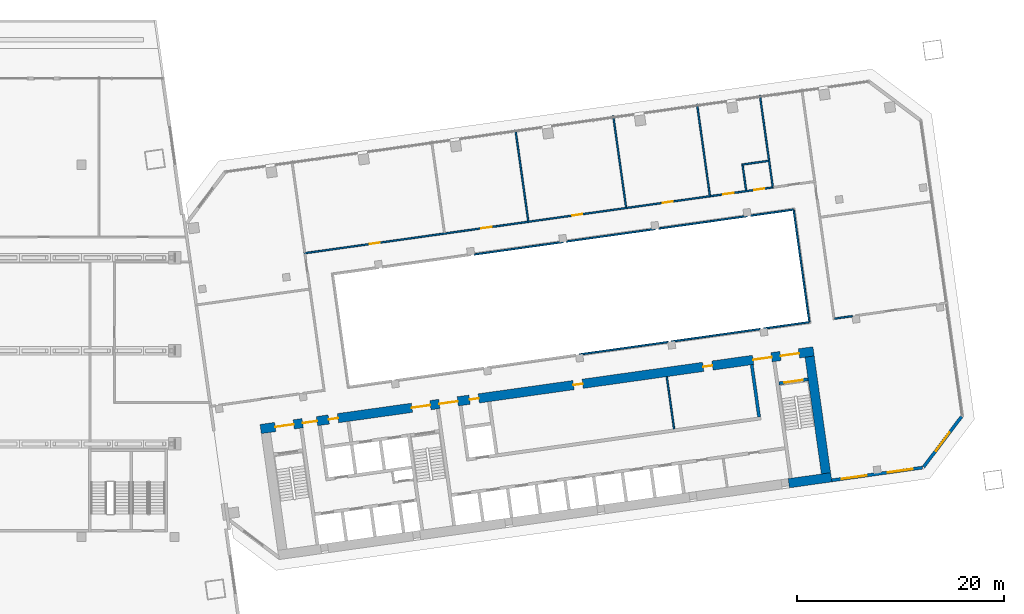
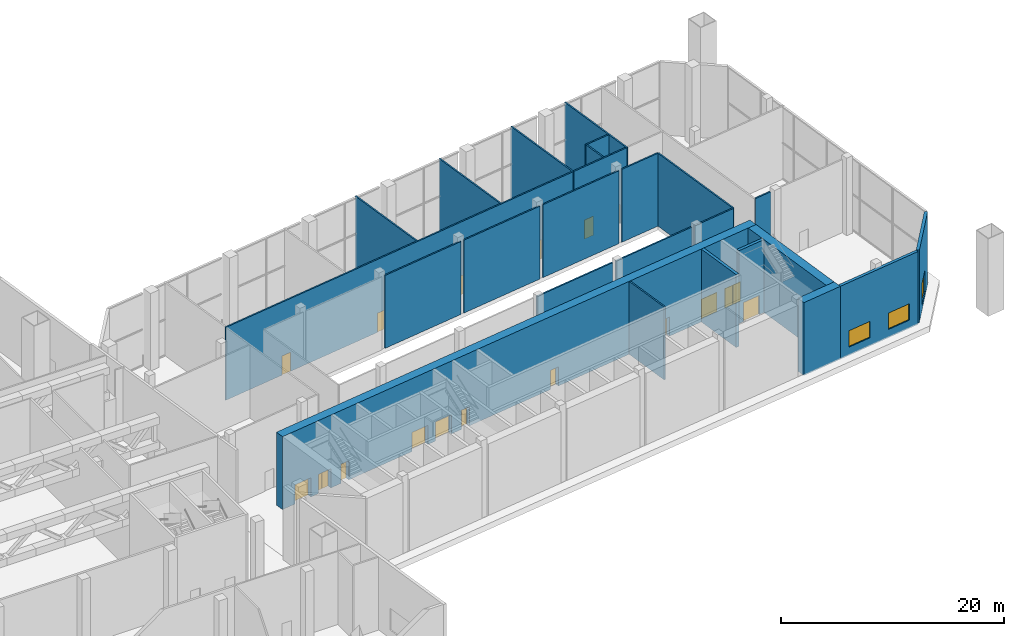
# One storey, part 24 of 31: 25 walls, 17 doors, 3 windows, 20 openings.
"""IFC4 building model written with IfcOpenShell, lengths in metres."""

from ifc_helpers import new_model, si_unit, direction, frame, frame_2d, origin, place, context, subcontext, project, spatial, rectangle, extrude, material, layer, layer_set, type_object, element, fill, save


model = new_model("IFC4")

# Units and contexts
model_context = context("Model", 3, precision=1e-05, world=origin(), true_north=direction((0.0, 1.0)))
body_context = subcontext(model_context, "Body", "Model", "MODEL_VIEW")
ifc_project = project(units=[si_unit("LENGTHUNIT", "METRE"), si_unit("AREAUNIT", "SQUARE_METRE"), si_unit("VOLUMEUNIT", "CUBIC_METRE"), si_unit("PLANEANGLEUNIT", "RADIAN"), si_unit("MASSUNIT", "GRAM", prefix="KILO")], contexts=[model_context])

# Site, building, storey
site_placement = place(None, origin())
site = spatial("IfcSite", under=ifc_project, at=site_placement, CompositionType="ELEMENT")
building_placement = place(site_placement, origin())
building = spatial("IfcBuilding", under=site, at=building_placement, Name="Mirante Cascada Hotel Towers", CompositionType="ELEMENT")
storey_placement = place(building_placement, frame((0.0, 0.0, 9.0)))
storey = spatial("IfcBuildingStorey", under=building, at=storey_placement, Name="L01", CompositionType="ELEMENT", Elevation=9.0)

# Walls
ifc_material_1 = material(Name="Masonry block", Category="masonry")
ifc_layer_1 = layer(ifc_material_1, 0.15)
ifc_layer_set_1 = layer_set([ifc_layer_1], Name="Core room partition 150 block EI 30")
wall_type_1 = type_object("IfcWallType", Name="Core room partition 150 block EI 30", PredefinedType="PARTITIONING", material=ifc_layer_set_1)
wall_1_placement = place(storey_placement, frame((75.3131, -7.5476, 0.0), z_axis=(0.0, 0.0, 1.0), x_axis=(-0.1391782, 0.9902673, 0.0)))
element("IfcWall", 1, at=wall_1_placement, inside=storey, type_object=wall_type_1, Name="Core wall partition T2 L01 5", PredefinedType="PARTITIONING", context=body_context, shape_type="SweptSolid", body=[
    extrude(rectangle(XDim=5.0999, YDim=0.15, at=frame_2d((2.55, 0.0))), origin(), (0.0, 0.0, 1.0), 8.0),
])
ifc_material_2 = material(Name="Masonry block", Category="masonry")
ifc_layer_2 = layer(ifc_material_2, 0.15)
ifc_layer_set_2 = layer_set([ifc_layer_2], Name="Corridor wall 150 block")
wall_type_2 = type_object("IfcWallType", Name="Corridor wall 150 block", PredefinedType="PARTITIONING", material=ifc_layer_set_2)
wall_2_placement = place(storey_placement, frame((86.8771, 13.638, 0.0), z_axis=(0.0, 0.0, 1.0), x_axis=(0.1391764, -0.9902676, 0.0)))
element("IfcWall", 2, at=wall_2_placement, inside=storey, type_object=wall_type_2, Name="Corridor wall T2 L01", PredefinedType="PARTITIONING", context=body_context, shape_type="SweptSolid", body=[
    extrude(rectangle(XDim=10.9401, YDim=0.15, at=frame_2d((5.47, 0.0))), origin(), (0.0, 0.0, 1.0), 8.0),
])
wall_3_placement = place(storey_placement, frame((90.8449, 3.1178, 0.0), z_axis=(0.0, 0.0, 1.0), x_axis=(0.9902659, 0.1391884, 0.0)))
element("IfcWall", 3, at=wall_3_placement, inside=storey, type_object=wall_type_2, Name="Corridor wall T2 L01", PredefinedType="PARTITIONING", context=body_context, shape_type="SweptSolid", body=[
    extrude(rectangle(XDim=1.7307, YDim=0.15, at=frame_2d((0.8654, 0.0))), origin(), (0.0, 0.0, 1.0), 8.0),
])

# Wall, openings, doors
wall_4_placement = place(storey_placement, frame((39.526, 9.4371, 0.0), z_axis=(0.0, 0.0, 1.0), x_axis=(0.9902683, 0.1391716, 0.0)))
wall_4 = element("IfcWall", 4, at=wall_4_placement, inside=storey, type_object=wall_type_2, Name="Corridor wall T2 L01", PredefinedType="PARTITIONING", context=body_context, shape_type="SweptSolid", body=[
    extrude(rectangle(XDim=39.5771, YDim=0.15, at=frame_2d((19.7886, 0.0))), origin(), (0.0, 0.0, 1.0), 8.0),
])
opening_1_placement = place(wall_4_placement, frame((6.3969, 0.0, 0.0)))
opening_1 = element("IfcOpeningElement", 5, at=opening_1_placement, cuts=wall_4, Name="Opening DP2-L01-05", PredefinedType="OPENING", context=body_context, shape_type="SweptSolid", body=[
    extrude(rectangle(XDim=1.0, YDim=2.1, at=frame_2d((0.5, 1.05))), frame((0.0, 0.075, 0.0), z_axis=(0.0, -1.0, 0.0), x_axis=(1.0, 0.0, 0.0)), (0.0, 0.0, 1.0), 0.15),
])
opening_2_placement = place(wall_4_placement, frame((17.312, 0.0, 0.0)))
opening_2 = element("IfcOpeningElement", 6, at=opening_2_placement, cuts=wall_4, Name="Opening DP2-L01-06", PredefinedType="OPENING", context=body_context, shape_type="SweptSolid", body=[
    extrude(rectangle(XDim=1.0, YDim=2.1, at=frame_2d((0.5, 1.05))), frame((0.0, 0.075, 0.0), z_axis=(0.0, -1.0, 0.0), x_axis=(1.0, 0.0, 0.0)), (0.0, 0.0, 1.0), 0.15),
])
opening_3_placement = place(wall_4_placement, frame((26.1804, 0.0, 0.0)))
opening_3 = element("IfcOpeningElement", 7, at=opening_3_placement, cuts=wall_4, Name="Opening DP2-L01-07", PredefinedType="OPENING", context=body_context, shape_type="SweptSolid", body=[
    extrude(rectangle(XDim=1.0, YDim=2.1, at=frame_2d((0.5, 1.05))), frame((0.0, 0.075, 0.0), z_axis=(0.0, -1.0, 0.0), x_axis=(1.0, 0.0, 0.0)), (0.0, 0.0, 1.0), 0.15),
])
opening_4_placement = place(wall_4_placement, frame((35.0164, 0.0, 0.0)))
opening_4 = element("IfcOpeningElement", 8, at=opening_4_placement, cuts=wall_4, Name="Opening DP2-L01-08", PredefinedType="OPENING", context=body_context, shape_type="SweptSolid", body=[
    extrude(rectangle(XDim=1.0, YDim=2.1, at=frame_2d((0.5, 1.05))), frame((0.0, 0.075, 0.0), z_axis=(0.0, -1.0, 0.0), x_axis=(1.0, 0.0, 0.0)), (0.0, 0.0, 1.0), 0.15),
])
ifc_material_3 = material(Name="Timber door leaf", Category="wood")
door_type_1 = type_object("IfcDoorType", Name="Single door 1000x2100", OperationType="NOTDEFINED", PredefinedType="DOOR", material=ifc_material_3)
door_1_placement = place(opening_1_placement, frame((1.0, 0.0, 0.0), z_axis=(0.0, 0.0, 1.0), x_axis=(-1.0, 0.0, 0.0)))
door_1 = element("IfcDoor", 9, at=door_1_placement, inside=storey, type_object=door_type_1, Name="Door DP2-L01-05", OperationType="SINGLE_SWING_LEFT", OverallHeight=2.1, OverallWidth=1.0, PredefinedType="DOOR", context=body_context, shape_type="SweptSolid", body=[
    extrude(rectangle(XDim=1.0, YDim=2.1, at=frame_2d((0.5, 1.05))), frame((0.0, 0.025, 0.0), z_axis=(0.0, -1.0, 0.0), x_axis=(1.0, 0.0, 0.0)), (0.0, 0.0, 1.0), 0.05),
])
fill(opening_1, door_1)
door_2_placement = place(opening_2_placement, origin())
door_2 = element("IfcDoor", 10, at=door_2_placement, inside=storey, type_object=door_type_1, Name="Door DP2-L01-06", OperationType="SINGLE_SWING_RIGHT", OverallHeight=2.1, OverallWidth=1.0, PredefinedType="DOOR", context=body_context, shape_type="SweptSolid", body=[
    extrude(rectangle(XDim=1.0, YDim=2.1, at=frame_2d((0.5, 1.05))), frame((0.0, 0.025, 0.0), z_axis=(0.0, -1.0, 0.0), x_axis=(1.0, 0.0, 0.0)), (0.0, 0.0, 1.0), 0.05),
])
fill(opening_2, door_2)
door_3_placement = place(opening_3_placement, frame((1.0, 0.0, 0.0), z_axis=(0.0, 0.0, 1.0), x_axis=(-1.0, 0.0, 0.0)))
door_3 = element("IfcDoor", 11, at=door_3_placement, inside=storey, type_object=door_type_1, Name="Door DP2-L01-07", OperationType="SINGLE_SWING_LEFT", OverallHeight=2.1, OverallWidth=1.0, PredefinedType="DOOR", context=body_context, shape_type="SweptSolid", body=[
    extrude(rectangle(XDim=1.0, YDim=2.1, at=frame_2d((0.5, 1.05))), frame((0.0, 0.025, 0.0), z_axis=(0.0, -1.0, 0.0), x_axis=(1.0, 0.0, 0.0)), (0.0, 0.0, 1.0), 0.05),
])
fill(opening_3, door_3)
door_4_placement = place(opening_4_placement, frame((1.0, 0.0, 0.0), z_axis=(0.0, 0.0, 1.0), x_axis=(-1.0, 0.0, 0.0)))
door_4 = element("IfcDoor", 12, at=door_4_placement, inside=storey, type_object=door_type_1, Name="Door DP2-L01-08", OperationType="SINGLE_SWING_RIGHT", OverallHeight=2.1, OverallWidth=1.0, PredefinedType="DOOR", context=body_context, shape_type="SweptSolid", body=[
    extrude(rectangle(XDim=1.0, YDim=2.1, at=frame_2d((0.5, 1.05))), frame((0.0, 0.025, 0.0), z_axis=(0.0, -1.0, 0.0), x_axis=(1.0, 0.0, 0.0)), (0.0, 0.0, 1.0), 0.05),
])
fill(opening_4, door_4)

# Walls
for number, where, z_axis, x_axis, name in (
    (13, (66.1471, -0.3533, 0.0), (0.0, 0.0, 1.0), (0.9902682, 0.139172, 0.0), "Corridor wall T2 L01"),
    (14, (75.0595, 0.8993, 0.0), (0.0, 0.0, 1.0), (0.9902682, 0.139172, 0.0), "Corridor wall T2 L01"),
):
    element("IfcWall", number, at=place(storey_placement, frame(where, z_axis=z_axis, x_axis=x_axis)), inside=storey, type_object=wall_type_2, Name=name, PredefinedType="PARTITIONING", context=body_context, shape_type="SweptSolid", body=[
        extrude(rectangle(XDim=8.6713, YDim=0.15, at=frame_2d((4.3356, 0.0))), origin(), (0.0, 0.0, 1.0), 8.0),
    ])
wall_5_placement = place(storey_placement, frame((83.9719, 2.1518, 0.0), z_axis=(0.0, 0.0, 1.0), x_axis=(0.9902682, 0.1391725, 0.0)))
element("IfcWall", 15, at=wall_5_placement, inside=storey, type_object=wall_type_2, Name="Corridor wall T2 L01", PredefinedType="PARTITIONING", context=body_context, shape_type="SweptSolid", body=[
    extrude(rectangle(XDim=4.4456, YDim=0.15, at=frame_2d((2.2228, 0.0))), origin(), (0.0, 0.0, 1.0), 8.0),
])
for number, where, z_axis, x_axis, name in (
    (16, (55.9808, 9.3261, 0.0), (0.0, 0.0, 1.0), (0.9902682, 0.139172, 0.0), "Corridor wall T2 L01"),
    (17, (64.8932, 10.5786, 0.0), (0.0, 0.0, 1.0), (0.9902682, 0.139172, 0.0), "Corridor wall T2 L01"),
    (18, (73.8056, 11.8312, 0.0), (0.0, 0.0, 1.0), (0.9902682, 0.139172, 0.0), "Corridor wall T2 L01"),
):
    element("IfcWall", number, at=place(storey_placement, frame(where, z_axis=z_axis, x_axis=x_axis)), inside=storey, type_object=wall_type_2, Name=name, PredefinedType="PARTITIONING", context=body_context, shape_type="SweptSolid", body=[
        extrude(rectangle(XDim=8.6713, YDim=0.15, at=frame_2d((4.3356, 0.0))), origin(), (0.0, 0.0, 1.0), 8.0),
    ])
wall_6_placement = place(storey_placement, frame((82.718, 13.0837, 0.0), z_axis=(0.0, 0.0, 1.0), x_axis=(0.9902672, 0.1391794, 0.0)))
element("IfcWall", 19, at=wall_6_placement, inside=storey, type_object=wall_type_2, Name="Corridor wall T2 L01", PredefinedType="PARTITIONING", context=body_context, shape_type="SweptSolid", body=[
    extrude(rectangle(XDim=4.1658, YDim=0.15, at=frame_2d((2.0829, 0.0))), origin(), (0.0, 0.0, 1.0), 8.0),
])
ifc_material_4 = material(Name="Masonry block", Category="masonry")
ifc_layer_3 = layer(ifc_material_4, 0.15)
ifc_layer_set_3 = layer_set([ifc_layer_3], Name="Partition 150 block")
wall_type_3 = type_object("IfcWallType", Name="Partition 150 block", PredefinedType="PARTITIONING", material=ifc_layer_set_3)
for number, where, z_axis, x_axis, name in (
    (20, (59.9654, 21.3981, 0.0), (0.0, 0.0, 1.0), (0.13917, -0.9902685, 0.0), "Partition T2 L01"),
    (21, (69.4231, 22.7273, 0.0), (0.0, 0.0, 1.0), (0.13917, -0.9902685, 0.0), "Partition T2 L01"),
):
    element("IfcWall", number, at=place(storey_placement, frame(where, z_axis=z_axis, x_axis=x_axis)), inside=storey, type_object=wall_type_3, Name=name, PredefinedType="PARTITIONING", context=body_context, shape_type="SweptSolid", body=[
        extrude(rectangle(XDim=8.9251, YDim=0.15, at=frame_2d((4.4626, 0.0))), origin(), (0.0, 0.0, 1.0), 8.0),
    ])

# Wall, openings, windows
ifc_material_5 = material(Name="Precast concrete C40/50", Category="concrete")
ifc_layer_4 = layer(ifc_material_5, 0.3)
ifc_layer_set_4 = layer_set([ifc_layer_4], Name="Precast concrete C40/50 cladding wall 300")
wall_type_4 = type_object("IfcWallType", Name="Precast concrete C40/50 cladding wall 300", PredefinedType="STANDARD", material=ifc_layer_set_4)
wall_7_placement = place(storey_placement, frame((90.5541, -12.5249, 0.0), z_axis=(0.0, 0.0, 1.0), x_axis=(0.9902676, 0.1391765, 0.0)))
wall_7 = element("IfcWall", 22, at=wall_7_placement, inside=storey, type_object=wall_type_4, Name="Rear cladding wall T2 L01 1", PredefinedType="STANDARD", context=body_context, shape_type="SweptSolid", body=[
    extrude(rectangle(XDim=8.8758, YDim=0.3, at=frame_2d((4.4379, 0.0))), origin(), (0.0, 0.0, 1.0), 8.0),
])
opening_5_placement = place(wall_7_placement, frame((1.0012, 0.0, 0.9)))
opening_5 = element("IfcOpeningElement", 23, at=opening_5_placement, cuts=wall_7, Name="Opening W2-01-01", PredefinedType="OPENING", context=body_context, shape_type="SweptSolid", body=[
    extrude(rectangle(XDim=2.4, YDim=1.8, at=frame_2d((1.2, 0.9))), frame((0.0, 0.15, 0.0), z_axis=(0.0, -1.0, 0.0), x_axis=(1.0, 0.0, 0.0)), (0.0, 0.0, 1.0), 0.3),
])
opening_6_placement = place(wall_7_placement, frame((5.4923, 0.0, 0.9)))
opening_6 = element("IfcOpeningElement", 24, at=opening_6_placement, cuts=wall_7, Name="Opening W2-01-02", PredefinedType="OPENING", context=body_context, shape_type="SweptSolid", body=[
    extrude(rectangle(XDim=2.4, YDim=1.8, at=frame_2d((1.2, 0.9))), frame((0.0, 0.15, 0.0), z_axis=(0.0, -1.0, 0.0), x_axis=(1.0, 0.0, 0.0)), (0.0, 0.0, 1.0), 0.3),
])
ifc_material_6 = material(Name="Aluminium frame with clear double glazing", Category="aluminium")
window_type_1 = type_object("IfcWindowType", Name="Punched window 2400x1800", PartitioningType="DOUBLE_PANEL_VERTICAL", PredefinedType="WINDOW", material=ifc_material_6)
window_1_placement = place(opening_5_placement, origin())
window_1 = element("IfcWindow", 25, at=window_1_placement, inside=storey, type_object=window_type_1, Name="Window W2-01-01", OverallHeight=1.8, OverallWidth=2.4, PartitioningType="SINGLE_PANEL", PredefinedType="WINDOW", context=body_context, shape_type="SweptSolid", body=[
    extrude(rectangle(XDim=2.4, YDim=1.8, at=frame_2d((1.2, 0.9))), frame((0.0, 0.03, 0.0), z_axis=(0.0, -1.0, 0.0), x_axis=(1.0, 0.0, 0.0)), (0.0, 0.0, 1.0), 0.06),
])
fill(opening_5, window_1)
window_2_placement = place(opening_6_placement, origin())
window_2 = element("IfcWindow", 26, at=window_2_placement, inside=storey, type_object=window_type_1, Name="Window W2-01-02", OverallHeight=1.8, OverallWidth=2.4, PartitioningType="SINGLE_PANEL", PredefinedType="WINDOW", context=body_context, shape_type="SweptSolid", body=[
    extrude(rectangle(XDim=2.4, YDim=1.8, at=frame_2d((1.2, 0.9))), frame((0.0, 0.03, 0.0), z_axis=(0.0, -1.0, 0.0), x_axis=(1.0, 0.0, 0.0)), (0.0, 0.0, 1.0), 0.06),
])
fill(opening_6, window_2)

# Wall, opening, window
wall_8_placement = place(storey_placement, frame((99.4424, -11.2313, 0.0), z_axis=(0.0, 0.0, 1.0), x_axis=(0.6018194, 0.7986322, 0.0)))
wall_8 = element("IfcWall", 27, at=wall_8_placement, inside=storey, type_object=wall_type_4, Name="Corner cladding wall T2 L01 rear outer", PredefinedType="STANDARD", context=body_context, shape_type="SweptSolid", body=[
    extrude(rectangle(XDim=6.1155, YDim=0.3, at=frame_2d((3.0578, 0.0))), origin(), (0.0, 0.0, 1.0), 8.0),
])
opening_7_placement = place(wall_8_placement, frame((1.9576, 0.0, 0.6)))
opening_7 = element("IfcOpeningElement", 28, at=opening_7_placement, cuts=wall_8, Name="Opening W2-01-03", PredefinedType="OPENING", context=body_context, shape_type="SweptSolid", body=[
    extrude(rectangle(XDim=2.2, YDim=2.4, at=frame_2d((1.1, 1.2))), frame((0.0, 0.15, 0.0), z_axis=(0.0, -1.0, 0.0), x_axis=(1.0, 0.0, 0.0)), (0.0, 0.0, 1.0), 0.3),
])
ifc_material_7 = material(Name="Aluminium frame with clear double glazing", Category="aluminium")
window_type_2 = type_object("IfcWindowType", Name="Corner suite window 2200x2400", PartitioningType="DOUBLE_PANEL_VERTICAL", PredefinedType="WINDOW", material=ifc_material_7)
window_3_placement = place(opening_7_placement, origin())
window_3 = element("IfcWindow", 29, at=window_3_placement, inside=storey, type_object=window_type_2, Name="Window W2-01-03", OverallHeight=2.4, OverallWidth=2.2, PartitioningType="SINGLE_PANEL", PredefinedType="WINDOW", context=body_context, shape_type="SweptSolid", body=[
    extrude(rectangle(XDim=2.2, YDim=2.4, at=frame_2d((1.1, 1.2))), frame((0.0, 0.03, 0.0), z_axis=(0.0, -1.0, 0.0), x_axis=(1.0, 0.0, 0.0)), (0.0, 0.0, 1.0), 0.06),
])
fill(opening_7, window_3)

# Wall, opening, door
ifc_material_8 = material(Name="Concrete C50/60", Category="concrete")
ifc_layer_5 = layer(ifc_material_8, 0.3)
ifc_layer_set_5 = layer_set([ifc_layer_5], Name="RC core wall 300 C50/60")
wall_type_5 = type_object("IfcWallType", Name="RC core wall 300 C50/60", PredefinedType="SHEAR", material=ifc_layer_set_5)
wall_9_placement = place(storey_placement, frame((85.4489, -3.1441, 0.0), z_axis=(0.0, 0.0, 1.0), x_axis=(0.9902697, 0.1391613, 0.0)))
wall_9 = element("IfcWall", 30, at=wall_9_placement, inside=storey, type_object=wall_type_5, Name="Core wall T2:L01:11", PredefinedType="SHEAR", context=body_context, shape_type="SweptSolid", body=[
    extrude(rectangle(XDim=2.8499, YDim=0.3, at=frame_2d((1.425, 0.0))), origin(), (0.0, 0.0, 1.0), 8.0),
])
opening_8_placement = place(wall_9_placement, frame((0.525, 0.0, 0.0)))
opening_8 = element("IfcOpeningElement", 31, at=opening_8_placement, cuts=wall_9, Name="Opening D2-01-C20", PredefinedType="OPENING", context=body_context, shape_type="SweptSolid", body=[
    extrude(rectangle(XDim=1.8, YDim=2.1, at=frame_2d((0.9, 1.05))), frame((0.0, 0.15, 0.0), z_axis=(0.0, -1.0, 0.0), x_axis=(1.0, 0.0, 0.0)), (0.0, 0.0, 1.0), 0.3),
])
ifc_material_9 = material(Name="Hollow metal fire door leaf")
door_type_2 = type_object("IfcDoorType", Name="Double fire door 1800x2100 FD60", OperationType="DOUBLE_DOOR_SINGLE_SWING", PredefinedType="DOOR", material=ifc_material_9)
door_5_placement = place(opening_8_placement, frame((1.8, 0.0, 0.0), z_axis=(0.0, 0.0, 1.0), x_axis=(-1.0, 0.0, 0.0)))
door_5 = element("IfcDoor", 32, at=door_5_placement, inside=storey, type_object=door_type_2, Name="Stair door T2 L01 20", OperationType="DOUBLE_DOOR_SINGLE_SWING", OverallHeight=2.1, OverallWidth=1.8, PredefinedType="DOOR", context=body_context, shape_type="SweptSolid", body=[
    extrude(rectangle(XDim=0.895, YDim=2.1, at=frame_2d((0.4475, 1.05))), frame((0.0, 0.025, 0.0), z_axis=(0.0, -1.0, 0.0), x_axis=(1.0, 0.0, 0.0)), (0.0, 0.0, 1.0), 0.05),
    extrude(rectangle(XDim=0.895, YDim=2.1, at=frame_2d((1.3525, 1.05))), frame((0.0, 0.025, 0.0), z_axis=(0.0, -1.0, 0.0), x_axis=(1.0, 0.0, 0.0)), (0.0, 0.0, 1.0), 0.05),
])
fill(opening_8, door_5)

# Walls
wall_10_placement = place(storey_placement, frame((83.5323, -6.3925, 0.0), z_axis=(0.0, 0.0, 1.0), x_axis=(-0.1391755, 0.9902677, 0.0)))
element("IfcWall", 33, at=wall_10_placement, inside=storey, type_object=wall_type_5, Name="Core wall T2:L01:36", PredefinedType="SHEAR", context=body_context, shape_type="SweptSolid", body=[
    extrude(rectangle(XDim=5.1, YDim=0.3, at=frame_2d((2.55, 0.0))), origin(), (0.0, 0.0, 1.0), 8.0),
])
ifc_material_10 = material(Name="Concrete C50/60", Category="concrete")
ifc_layer_6 = layer(ifc_material_10, 0.9)
ifc_layer_set_6 = layer_set([ifc_layer_6], Name="RC core wall 900 C50/60")
wall_type_6 = type_object("IfcWallType", Name="RC core wall 900 C50/60", PredefinedType="SHEAR", material=ifc_layer_set_6)
wall_11_placement = place(storey_placement, frame((86.4027, -12.8054, 0.0), z_axis=(0.0, 0.0, 1.0), x_axis=(0.990267, 0.139181, 0.0)))
element("IfcWall", 34, at=wall_11_placement, inside=storey, type_object=wall_type_6, Name="Core wall T2:L01:1.7", PredefinedType="SHEAR", context=body_context, shape_type="SweptSolid", body=[
    extrude(rectangle(XDim=4.15, YDim=0.9, at=frame_2d((2.075, 0.0))), origin(), (0.0, 0.0, 1.0), 8.0),
])

# Wall, openings, doors
wall_12_placement = place(storey_placement, frame((35.326, -7.5629, 0.0), z_axis=(0.0, 0.0, 1.0), x_axis=(0.9902679, 0.139174, 0.0)))
wall_12 = element("IfcWall", 35, at=wall_12_placement, inside=storey, type_object=wall_type_6, Name="Core wall T2:L01:2", PredefinedType="SHEAR", context=body_context, shape_type="SweptSolid", body=[
    extrude(rectangle(XDim=54.0, YDim=0.9, at=frame_2d((27.0, 0.0))), origin(), (0.0, 0.0, 1.0), 8.0),
])
opening_9_placement = place(wall_12_placement, frame((1.425, 0.0, 0.0)))
opening_9 = element("IfcOpeningElement", 36, at=opening_9_placement, cuts=wall_12, Name="Opening D2-01-C17", PredefinedType="OPENING", context=body_context, shape_type="SweptSolid", body=[
    extrude(rectangle(XDim=1.8, YDim=2.1, at=frame_2d((0.9, 1.05))), frame((0.0, 0.45, 0.0), z_axis=(0.0, -1.0, 0.0), x_axis=(1.0, 0.0, 0.0)), (0.0, 0.0, 1.0), 0.9),
])
opening_10_placement = place(wall_12_placement, frame((14.775, 0.0, 0.0)))
opening_10 = element("IfcOpeningElement", 37, at=opening_10_placement, cuts=wall_12, Name="Opening D2-01-C19", PredefinedType="OPENING", context=body_context, shape_type="SweptSolid", body=[
    extrude(rectangle(XDim=1.8, YDim=2.1, at=frame_2d((0.9, 1.05))), frame((0.0, 0.45, 0.0), z_axis=(0.0, -1.0, 0.0), x_axis=(1.0, 0.0, 0.0)), (0.0, 0.0, 1.0), 0.9),
])
opening_11_placement = place(wall_12_placement, frame((50.775, 0.0, 0.0)))
opening_11 = element("IfcOpeningElement", 38, at=opening_11_placement, cuts=wall_12, Name="Opening D2-01-C21", PredefinedType="OPENING", context=body_context, shape_type="SweptSolid", body=[
    extrude(rectangle(XDim=1.8, YDim=2.1, at=frame_2d((0.9, 1.05))), frame((0.0, 0.45, 0.0), z_axis=(0.0, -1.0, 0.0), x_axis=(1.0, 0.0, 0.0)), (0.0, 0.0, 1.0), 0.9),
])
opening_12_placement = place(wall_12_placement, frame((4.1, 0.0, 0.0)))
opening_12 = element("IfcOpeningElement", 39, at=opening_12_placement, cuts=wall_12, Name="Opening D2-01-C22", PredefinedType="OPENING", context=body_context, shape_type="SweptSolid", body=[
    extrude(rectangle(XDim=1.4, YDim=2.1, at=frame_2d((0.7, 1.05))), frame((0.0, 0.45, 0.0), z_axis=(0.0, -1.0, 0.0), x_axis=(1.0, 0.0, 0.0)), (0.0, 0.0, 1.0), 0.9),
])
opening_13_placement = place(wall_12_placement, frame((17.45, 0.0, 0.0)))
opening_13 = element("IfcOpeningElement", 40, at=opening_13_placement, cuts=wall_12, Name="Opening D2-01-C23", PredefinedType="OPENING", context=body_context, shape_type="SweptSolid", body=[
    extrude(rectangle(XDim=1.8, YDim=2.1, at=frame_2d((0.9, 1.05))), frame((0.0, 0.45, 0.0), z_axis=(0.0, -1.0, 0.0), x_axis=(1.0, 0.0, 0.0)), (0.0, 0.0, 1.0), 0.9),
])
opening_14_placement = place(wall_12_placement, frame((48.1, 0.0, 0.0)))
opening_14 = element("IfcOpeningElement", 41, at=opening_14_placement, cuts=wall_12, Name="Opening D2-01-C24", PredefinedType="OPENING", context=body_context, shape_type="SweptSolid", body=[
    extrude(rectangle(XDim=1.8, YDim=2.1, at=frame_2d((0.9, 1.05))), frame((0.0, 0.45, 0.0), z_axis=(0.0, -1.0, 0.0), x_axis=(1.0, 0.0, 0.0)), (0.0, 0.0, 1.0), 0.9),
])
opening_15_placement = place(wall_12_placement, frame((6.65, 0.0, 0.0)))
opening_15 = element("IfcOpeningElement", 42, at=opening_15_placement, cuts=wall_12, Name="Opening D2-01-C27", PredefinedType="OPENING", context=body_context, shape_type="SweptSolid", body=[
    extrude(rectangle(XDim=0.9, YDim=2.1, at=frame_2d((0.45, 1.05))), frame((0.0, 0.45, 0.0), z_axis=(0.0, -1.0, 0.0), x_axis=(1.0, 0.0, 0.0)), (0.0, 0.0, 1.0), 0.9),
])
opening_16_placement = place(wall_12_placement, frame((20.4, 0.0, 0.0)))
opening_16 = element("IfcOpeningElement", 43, at=opening_16_placement, cuts=wall_12, Name="Opening D2-01-C30", PredefinedType="OPENING", context=body_context, shape_type="SweptSolid", body=[
    extrude(rectangle(XDim=0.9, YDim=2.1, at=frame_2d((0.45, 1.05))), frame((0.0, 0.45, 0.0), z_axis=(0.0, -1.0, 0.0), x_axis=(1.0, 0.0, 0.0)), (0.0, 0.0, 1.0), 0.9),
])
opening_17_placement = place(wall_12_placement, frame((30.55, 0.0, 0.0)))
opening_17 = element("IfcOpeningElement", 44, at=opening_17_placement, cuts=wall_12, Name="Opening D2-01-C31", PredefinedType="OPENING", context=body_context, shape_type="SweptSolid", body=[
    extrude(rectangle(XDim=0.9, YDim=2.1, at=frame_2d((0.45, 1.05))), frame((0.0, 0.45, 0.0), z_axis=(0.0, -1.0, 0.0), x_axis=(1.0, 0.0, 0.0)), (0.0, 0.0, 1.0), 0.9),
])
opening_18_placement = place(wall_12_placement, frame((43.225, 0.0, 0.0)))
opening_18 = element("IfcOpeningElement", 45, at=opening_18_placement, cuts=wall_12, Name="Opening D2-01-C32", PredefinedType="OPENING", context=body_context, shape_type="SweptSolid", body=[
    extrude(rectangle(XDim=0.9, YDim=2.1, at=frame_2d((0.45, 1.05))), frame((0.0, 0.45, 0.0), z_axis=(0.0, -1.0, 0.0), x_axis=(1.0, 0.0, 0.0)), (0.0, 0.0, 1.0), 0.9),
])
ifc_material_11 = material(Name="Hollow metal fire door leaf")
door_type_3 = type_object("IfcDoorType", Name="Double fire door 1400x2100 FD60", OperationType="DOUBLE_DOOR_SINGLE_SWING", PredefinedType="DOOR", material=ifc_material_11)
door_6_placement = place(opening_12_placement, origin())
door_6 = element("IfcDoor", 46, at=door_6_placement, inside=storey, type_object=door_type_3, Name="Exit door to gallery T2 L01 22", OperationType="DOUBLE_DOOR_SINGLE_SWING", OverallHeight=2.1, OverallWidth=1.4, PredefinedType="DOOR", context=body_context, shape_type="SweptSolid", body=[
    extrude(rectangle(XDim=0.695, YDim=2.1, at=frame_2d((0.3475, 1.05))), frame((0.0, 0.025, 0.0), z_axis=(0.0, -1.0, 0.0), x_axis=(1.0, 0.0, 0.0)), (0.0, 0.0, 1.0), 0.05),
    extrude(rectangle(XDim=0.695, YDim=2.1, at=frame_2d((1.0525, 1.05))), frame((0.0, 0.025, 0.0), z_axis=(0.0, -1.0, 0.0), x_axis=(1.0, 0.0, 0.0)), (0.0, 0.0, 1.0), 0.05),
])
fill(opening_12, door_6)
door_7_placement = place(opening_9_placement, frame((1.8, 0.0, 0.0), z_axis=(0.0, 0.0, 1.0), x_axis=(-1.0, 0.0, 0.0)))
door_7 = element("IfcDoor", 47, at=door_7_placement, inside=storey, type_object=door_type_2, Name="Exit door to gallery T2 L01 17", OperationType="DOUBLE_DOOR_SINGLE_SWING", OverallHeight=2.1, OverallWidth=1.8, PredefinedType="DOOR", context=body_context, shape_type="SweptSolid", body=[
    extrude(rectangle(XDim=0.895, YDim=2.1, at=frame_2d((0.4475, 1.05))), frame((0.0, 0.025, 0.0), z_axis=(0.0, -1.0, 0.0), x_axis=(1.0, 0.0, 0.0)), (0.0, 0.0, 1.0), 0.05),
    extrude(rectangle(XDim=0.895, YDim=2.1, at=frame_2d((1.3525, 1.05))), frame((0.0, 0.025, 0.0), z_axis=(0.0, -1.0, 0.0), x_axis=(1.0, 0.0, 0.0)), (0.0, 0.0, 1.0), 0.05),
])
fill(opening_9, door_7)
door_8_placement = place(opening_10_placement, frame((1.8, 0.0, 0.0), z_axis=(0.0, 0.0, 1.0), x_axis=(-1.0, 0.0, 0.0)))
door_8 = element("IfcDoor", 48, at=door_8_placement, inside=storey, type_object=door_type_2, Name="Exit door to gallery T2 L01 19", OperationType="DOUBLE_DOOR_SINGLE_SWING", OverallHeight=2.1, OverallWidth=1.8, PredefinedType="DOOR", context=body_context, shape_type="SweptSolid", body=[
    extrude(rectangle(XDim=0.895, YDim=2.1, at=frame_2d((0.4475, 1.05))), frame((0.0, 0.025, 0.0), z_axis=(0.0, -1.0, 0.0), x_axis=(1.0, 0.0, 0.0)), (0.0, 0.0, 1.0), 0.05),
    extrude(rectangle(XDim=0.895, YDim=2.1, at=frame_2d((1.3525, 1.05))), frame((0.0, 0.025, 0.0), z_axis=(0.0, -1.0, 0.0), x_axis=(1.0, 0.0, 0.0)), (0.0, 0.0, 1.0), 0.05),
])
fill(opening_10, door_8)
door_9_placement = place(opening_11_placement, frame((1.8, 0.0, 0.0), z_axis=(0.0, 0.0, 1.0), x_axis=(-1.0, 0.0, 0.0)))
door_9 = element("IfcDoor", 49, at=door_9_placement, inside=storey, type_object=door_type_2, Name="Exit door to gallery T2 L01 21", OperationType="DOUBLE_DOOR_SINGLE_SWING", OverallHeight=2.1, OverallWidth=1.8, PredefinedType="DOOR", context=body_context, shape_type="SweptSolid", body=[
    extrude(rectangle(XDim=0.895, YDim=2.1, at=frame_2d((0.4475, 1.05))), frame((0.0, 0.025, 0.0), z_axis=(0.0, -1.0, 0.0), x_axis=(1.0, 0.0, 0.0)), (0.0, 0.0, 1.0), 0.05),
    extrude(rectangle(XDim=0.895, YDim=2.1, at=frame_2d((1.3525, 1.05))), frame((0.0, 0.025, 0.0), z_axis=(0.0, -1.0, 0.0), x_axis=(1.0, 0.0, 0.0)), (0.0, 0.0, 1.0), 0.05),
])
fill(opening_11, door_9)
door_10_placement = place(opening_13_placement, origin())
door_10 = element("IfcDoor", 50, at=door_10_placement, inside=storey, type_object=door_type_2, Name="Exit door to gallery T2 L01 23", OperationType="DOUBLE_DOOR_SINGLE_SWING", OverallHeight=2.1, OverallWidth=1.8, PredefinedType="DOOR", context=body_context, shape_type="SweptSolid", body=[
    extrude(rectangle(XDim=0.895, YDim=2.1, at=frame_2d((0.4475, 1.05))), frame((0.0, 0.025, 0.0), z_axis=(0.0, -1.0, 0.0), x_axis=(1.0, 0.0, 0.0)), (0.0, 0.0, 1.0), 0.05),
    extrude(rectangle(XDim=0.895, YDim=2.1, at=frame_2d((1.3525, 1.05))), frame((0.0, 0.025, 0.0), z_axis=(0.0, -1.0, 0.0), x_axis=(1.0, 0.0, 0.0)), (0.0, 0.0, 1.0), 0.05),
])
fill(opening_13, door_10)
door_11_placement = place(opening_14_placement, origin())
door_11 = element("IfcDoor", 51, at=door_11_placement, inside=storey, type_object=door_type_2, Name="Exit door to gallery T2 L01 24", OperationType="DOUBLE_DOOR_SINGLE_SWING", OverallHeight=2.1, OverallWidth=1.8, PredefinedType="DOOR", context=body_context, shape_type="SweptSolid", body=[
    extrude(rectangle(XDim=0.895, YDim=2.1, at=frame_2d((0.4475, 1.05))), frame((0.0, 0.025, 0.0), z_axis=(0.0, -1.0, 0.0), x_axis=(1.0, 0.0, 0.0)), (0.0, 0.0, 1.0), 0.05),
    extrude(rectangle(XDim=0.895, YDim=2.1, at=frame_2d((1.3525, 1.05))), frame((0.0, 0.025, 0.0), z_axis=(0.0, -1.0, 0.0), x_axis=(1.0, 0.0, 0.0)), (0.0, 0.0, 1.0), 0.05),
])
fill(opening_14, door_11)
ifc_material_12 = material(Name="Hollow metal fire door leaf")
door_type_4 = type_object("IfcDoorType", Name="Fire door 900x2100 FD60", OperationType="NOTDEFINED", PredefinedType="DOOR", material=ifc_material_12)
door_12_placement = place(opening_15_placement, frame((0.9, 0.0, 0.0), z_axis=(0.0, 0.0, 1.0), x_axis=(-1.0, 0.0, 0.0)))
door_12 = element("IfcDoor", 52, at=door_12_placement, inside=storey, type_object=door_type_4, Name="Room door T2 L01 27", OperationType="SINGLE_SWING_LEFT", OverallHeight=2.1, OverallWidth=0.9, PredefinedType="DOOR", context=body_context, shape_type="SweptSolid", body=[
    extrude(rectangle(XDim=0.9, YDim=2.1, at=frame_2d((0.45, 1.05))), frame((0.0, 0.025, 0.0), z_axis=(0.0, -1.0, 0.0), x_axis=(1.0, 0.0, 0.0)), (0.0, 0.0, 1.0), 0.05),
])
fill(opening_15, door_12)
door_13_placement = place(opening_16_placement, frame((0.9, 0.0, 0.0), z_axis=(0.0, 0.0, 1.0), x_axis=(-1.0, 0.0, 0.0)))
door_13 = element("IfcDoor", 53, at=door_13_placement, inside=storey, type_object=door_type_4, Name="Room door T2 L01 30", OperationType="SINGLE_SWING_LEFT", OverallHeight=2.1, OverallWidth=0.9, PredefinedType="DOOR", context=body_context, shape_type="SweptSolid", body=[
    extrude(rectangle(XDim=0.9, YDim=2.1, at=frame_2d((0.45, 1.05))), frame((0.0, 0.025, 0.0), z_axis=(0.0, -1.0, 0.0), x_axis=(1.0, 0.0, 0.0)), (0.0, 0.0, 1.0), 0.05),
])
fill(opening_16, door_13)
door_14_placement = place(opening_17_placement, frame((0.9, 0.0, 0.0), z_axis=(0.0, 0.0, 1.0), x_axis=(-1.0, 0.0, 0.0)))
door_14 = element("IfcDoor", 54, at=door_14_placement, inside=storey, type_object=door_type_4, Name="Room door T2 L01 31", OperationType="SINGLE_SWING_RIGHT", OverallHeight=2.1, OverallWidth=0.9, PredefinedType="DOOR", context=body_context, shape_type="SweptSolid", body=[
    extrude(rectangle(XDim=0.9, YDim=2.1, at=frame_2d((0.45, 1.05))), frame((0.0, 0.025, 0.0), z_axis=(0.0, -1.0, 0.0), x_axis=(1.0, 0.0, 0.0)), (0.0, 0.0, 1.0), 0.05),
])
fill(opening_17, door_14)
door_15_placement = place(opening_18_placement, frame((0.9, 0.0, 0.0), z_axis=(0.0, 0.0, 1.0), x_axis=(-1.0, 0.0, 0.0)))
door_15 = element("IfcDoor", 55, at=door_15_placement, inside=storey, type_object=door_type_4, Name="Room door T2 L01 32", OperationType="SINGLE_SWING_RIGHT", OverallHeight=2.1, OverallWidth=0.9, PredefinedType="DOOR", context=body_context, shape_type="SweptSolid", body=[
    extrude(rectangle(XDim=0.9, YDim=2.1, at=frame_2d((0.45, 1.05))), frame((0.0, 0.025, 0.0), z_axis=(0.0, -1.0, 0.0), x_axis=(1.0, 0.0, 0.0)), (0.0, 0.0, 1.0), 0.05),
])
fill(opening_18, door_15)

# Walls
wall_13_placement = place(storey_placement, frame((90.0041, -11.8449, 0.0), z_axis=(0.0, 0.0, 1.0), x_axis=(-0.1391749, 0.9902678, 0.0)))
element("IfcWall", 56, at=wall_13_placement, inside=storey, type_object=wall_type_6, Name="Core wall T2:L01:4", PredefinedType="SHEAR", context=body_context, shape_type="SweptSolid", body=[
    extrude(rectangle(XDim=11.4, YDim=0.9, at=frame_2d((5.7, 0.0))), origin(), (0.0, 0.0, 1.0), 8.0),
])
ifc_material_13 = material(Name="Masonry block", Category="masonry")
ifc_layer_7 = layer(ifc_material_13, 0.15)
ifc_layer_set_7 = layer_set([ifc_layer_7], Name="Wet room wall 150 block")
wall_type_7 = type_object("IfcWallType", Name="Wet room wall 150 block", PredefinedType="PARTITIONING", material=ifc_layer_set_7)
wall_14_placement = place(storey_placement, frame((77.5297, 23.8666, 0.0), z_axis=(0.0, 0.0, 1.0), x_axis=(0.1391733, -0.990268, 0.0)))
element("IfcWall", 57, at=wall_14_placement, inside=storey, type_object=wall_type_7, Name="Wet room wall T2 L01", PredefinedType="PARTITIONING", context=body_context, shape_type="SweptSolid", body=[
    extrude(rectangle(XDim=9.075, YDim=0.15, at=frame_2d((4.5375, 0.0))), origin(), (0.0, 0.0, 1.0), 8.0),
])
wall_15_placement = place(storey_placement, frame((81.9362, 17.9472, 0.0), z_axis=(0.0, 0.0, 1.0), x_axis=(0.1391466, -0.9902718, 0.0)))
element("IfcWall", 58, at=wall_15_placement, inside=storey, type_object=wall_type_7, Name="Wet room wall T2 L01", PredefinedType="PARTITIONING", context=body_context, shape_type="SweptSolid", body=[
    extrude(rectangle(XDim=2.4499, YDim=0.15, at=frame_2d((1.225, 0.0))), origin(), (0.0, 0.0, 1.0), 8.0),
])
wall_16_placement = place(storey_placement, frame((83.6097, 24.7211, 0.0), z_axis=(0.0, 0.0, 1.0), x_axis=(0.1391733, -0.990268, 0.0)))
element("IfcWall", 59, at=wall_16_placement, inside=storey, type_object=wall_type_7, Name="Wet room wall T2 L01", PredefinedType="PARTITIONING", context=body_context, shape_type="SweptSolid", body=[
    extrude(rectangle(XDim=9.075, YDim=0.15, at=frame_2d((4.5375, 0.0))), origin(), (0.0, 0.0, 1.0), 8.0),
])

# Wall, openings, doors
wall_17_placement = place(storey_placement, frame((78.8467, 14.9632, 0.0), z_axis=(0.0, 0.0, 1.0), x_axis=(0.9902678, 0.1391753, 0.0)))
wall_17 = element("IfcWall", 60, at=wall_17_placement, inside=storey, type_object=wall_type_7, Name="Wet room wall T2 L01", PredefinedType="PARTITIONING", context=body_context, shape_type="SweptSolid", body=[
    extrude(rectangle(XDim=6.0097, YDim=0.15, at=frame_2d((3.0048, 0.0))), origin(), (0.0, 0.0, 1.0), 8.0),
])
opening_19_placement = place(wall_17_placement, frame((1.2374, 0.0, 0.0)))
opening_19 = element("IfcOpeningElement", 61, at=opening_19_placement, cuts=wall_17, Name="Opening DP2-L01-09", PredefinedType="OPENING", context=body_context, shape_type="SweptSolid", body=[
    extrude(rectangle(XDim=1.0, YDim=2.1, at=frame_2d((0.5, 1.05))), frame((0.0, 0.075, 0.0), z_axis=(0.0, -1.0, 0.0), x_axis=(1.0, 0.0, 0.0)), (0.0, 0.0, 1.0), 0.15),
])
opening_20_placement = place(wall_17_placement, frame((4.2422, 0.0, 0.0)))
opening_20 = element("IfcOpeningElement", 62, at=opening_20_placement, cuts=wall_17, Name="Opening DP2-L01-11", PredefinedType="OPENING", context=body_context, shape_type="SweptSolid", body=[
    extrude(rectangle(XDim=1.0, YDim=2.1, at=frame_2d((0.5, 1.05))), frame((0.0, 0.075, 0.0), z_axis=(0.0, -1.0, 0.0), x_axis=(1.0, 0.0, 0.0)), (0.0, 0.0, 1.0), 0.15),
])
door_16_placement = place(opening_19_placement, origin())
door_16 = element("IfcDoor", 63, at=door_16_placement, inside=storey, type_object=door_type_1, Name="Door DP2-L01-09", OperationType="SINGLE_SWING_LEFT", OverallHeight=2.1, OverallWidth=1.0, PredefinedType="DOOR", context=body_context, shape_type="SweptSolid", body=[
    extrude(rectangle(XDim=1.0, YDim=2.1, at=frame_2d((0.5, 1.05))), frame((0.0, 0.025, 0.0), z_axis=(0.0, -1.0, 0.0), x_axis=(1.0, 0.0, 0.0)), (0.0, 0.0, 1.0), 0.05),
])
fill(opening_19, door_16)
door_17_placement = place(opening_20_placement, origin())
door_17 = element("IfcDoor", 64, at=door_17_placement, inside=storey, type_object=door_type_1, Name="Door DP2-L01-11", OperationType="SINGLE_SWING_LEFT", OverallHeight=2.1, OverallWidth=1.0, PredefinedType="DOOR", context=body_context, shape_type="SweptSolid", body=[
    extrude(rectangle(XDim=1.0, YDim=2.1, at=frame_2d((0.5, 1.05))), frame((0.0, 0.025, 0.0), z_axis=(0.0, -1.0, 0.0), x_axis=(1.0, 0.0, 0.0)), (0.0, 0.0, 1.0), 0.05),
])
fill(opening_20, door_17)

# Wall
wall_18_placement = place(storey_placement, frame((81.8515, 18.0111, 0.0), z_axis=(0.0, 0.0, 1.0), x_axis=(0.9902707, 0.1391541, 0.0)))
element("IfcWall", 65, at=wall_18_placement, inside=storey, type_object=wall_type_7, Name="Wet room wall T2 L01", PredefinedType="PARTITIONING", context=body_context, shape_type="SweptSolid", body=[
    extrude(rectangle(XDim=2.6, YDim=0.15, at=frame_2d((1.3, 0.0))), origin(), (0.0, 0.0, 1.0), 8.0),
])

save(model, "model.ifc")
